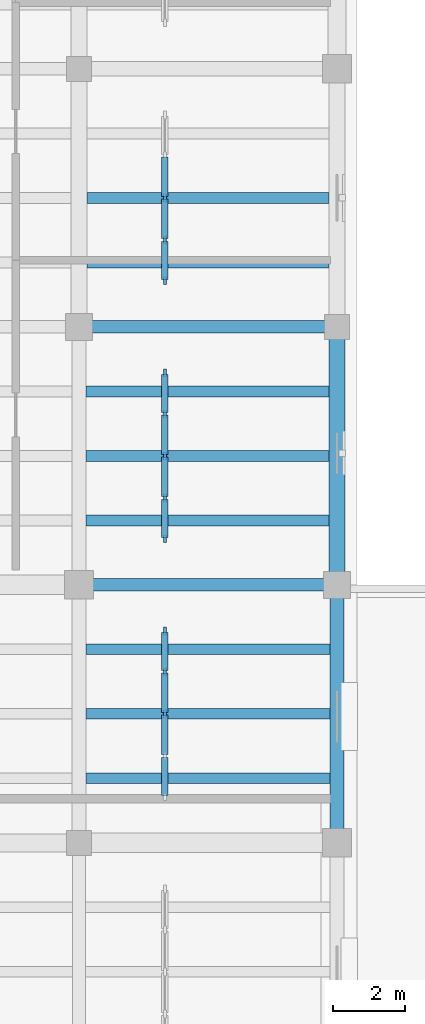
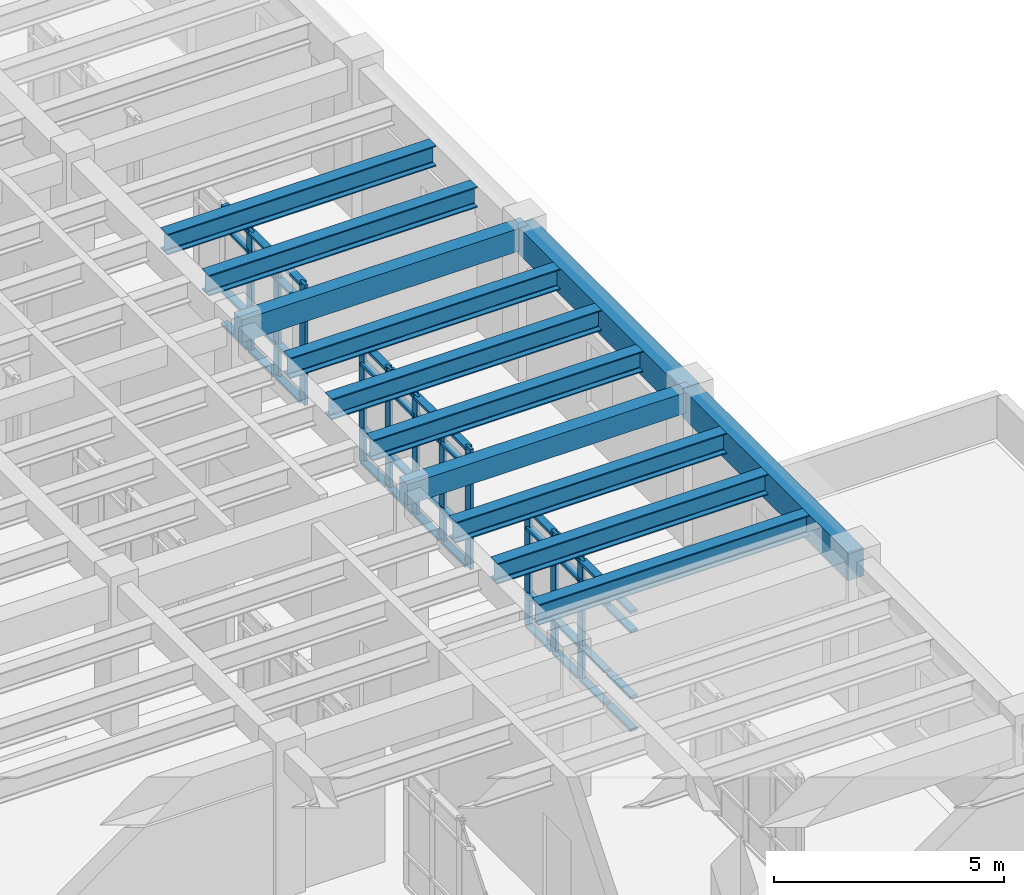
# One storey, part 31 of 76: 55 members, 12 beams, 3 elements without a shape of their own.
"""IFC4 building model written with IfcOpenShell, lengths in metres."""

import ifcopenshell
import ifcopenshell.guid

model = None  # the IFC model being written
_history = None  # IfcOwnerHistory: only IFC2X3 demands one
_inside = {}  # id of a spatial element -> (the spatial element, [elements in it])
_under = {}  # id of a project, library or spatial element -> (it, [spatial elements below it])
_declared = {}  # id of a project -> (the project, [libraries it declares])
_typed = {}  # id of a type object -> (the type object, [elements of that type])
_made_of = {}  # id of a material, layer set ... -> (it, [elements and type objects made of it])


def new_model(schema):
    """Start an empty IFC model of exactly this schema.

    Asked for "IFC4X3", IfcOpenShell would pick the latest addendum, in which some entities
    have other attributes; the version numbers below select the first issue.
    IFC2X3 requires an IfcOwnerHistory on every rooted entity: one is made here for all.
    """
    global model, _history
    if schema == "IFC4X3":
        model = ifcopenshell.file(schema_version=(4, 3, 0, 0))
    else:
        model = ifcopenshell.file(schema=schema)
    _inside.clear()
    _under.clear()
    _declared.clear()
    _typed.clear()
    _made_of.clear()
    _history = None
    if model.schema == "IFC2X3":
        org = make("IfcOrganization", Name="unknown")
        user = make(
            "IfcPersonAndOrganization",
            ThePerson=make("IfcPerson", FamilyName="unknown"),
            TheOrganization=org,
        )
        app = make(
            "IfcApplication",
            ApplicationDeveloper=org,
            Version="unknown",
            ApplicationFullName="unknown",
            ApplicationIdentifier="unknown",
        )
        _history = make(
            "IfcOwnerHistory",
            OwningUser=user,
            OwningApplication=app,
            ChangeAction="ADDED",
            CreationDate=0,
        )
    return model


def make(cls, **values):
    """One entity of the class cls with the attributes given. An attribute that is None is left unset."""
    return model.create_entity(
        cls, **{name: value for name, value in values.items() if value is not None}
    )


def rooted(cls, **values):
    """An entity with a GlobalId (a new one), such as an element, a storey or a relation."""
    return make(cls, GlobalId=ifcopenshell.guid.new(), OwnerHistory=_history, **values)


def si_unit(unit_type, name, prefix=None):
    """IfcSIUnit, for example si_unit("LENGTHUNIT", "METRE", prefix="MILLI")."""
    return make("IfcSIUnit", UnitType=unit_type, Prefix=prefix, Name=name)


def assignment(units):
    """IfcUnitAssignment: the units of a project."""
    return None if units is None else make("IfcUnitAssignment", Units=units)


def point(xyz):
    """IfcCartesianPoint."""
    return None if xyz is None else make("IfcCartesianPoint", Coordinates=xyz)


def direction(xyz):
    """IfcDirection."""
    return None if xyz is None else make("IfcDirection", DirectionRatios=xyz)


def frame(location, z_axis=None, x_axis=None):
    """IfcAxis2Placement3D, a coordinate frame: its origin and axes. An axis left out is left unset."""
    return make(
        "IfcAxis2Placement3D",
        Location=point(location),
        Axis=direction(z_axis),
        RefDirection=direction(x_axis),
    )


def frame_2d(location, x_axis=None):
    """IfcAxis2Placement2D, a coordinate frame in the plane: its origin and x axis."""
    return make(
        "IfcAxis2Placement2D", Location=point(location), RefDirection=direction(x_axis)
    )


def origin():
    """The frame at (0, 0, 0) with its axes left unset."""
    return frame((0.0, 0.0, 0.0))


def origin_2d():
    """The frame at (0, 0) in the plane with its x axis left unset."""
    return frame_2d((0.0, 0.0))


def place(relative_to, where):
    """IfcLocalPlacement: puts the frame where relative to a parent placement (None: the world)."""
    return make(
        "IfcLocalPlacement", PlacementRelTo=relative_to, RelativePlacement=where
    )


def context(
    kind, dimensions, precision=None, world=None, true_north=None, identifier=None
):
    """IfcGeometricRepresentationContext, for example the 3D "Model" context."""
    return make(
        "IfcGeometricRepresentationContext",
        ContextIdentifier=identifier,
        ContextType=kind,
        CoordinateSpaceDimension=dimensions,
        Precision=precision,
        WorldCoordinateSystem=world,
        TrueNorth=true_north,
    )


def subcontext(parent, identifier, kind, view, scale=None):
    """IfcGeometricRepresentationSubContext, for example "Body" below "Model"."""
    return make(
        "IfcGeometricRepresentationSubContext",
        ContextIdentifier=identifier,
        ContextType=kind,
        ParentContext=parent,
        TargetScale=scale,
        TargetView=view,
    )


def project(units=None, contexts=None):
    """IfcProject with its units and contexts."""
    return rooted(
        "IfcProject",
        Name="project",
        RepresentationContexts=contexts,
        UnitsInContext=assignment(units),
    )


def spatial(cls, under=None, at=None, **own):
    """A site, building, storey or space (cls), placed at a placement, below another one or the project."""
    s = rooted(cls, ObjectPlacement=at, **own)
    if under is not None:
        _under.setdefault(under.id(), (under, []))[1].append(s)
    return s


def profile(cls, at=None, kind="AREA", **sizes):
    """A parametric profile (cls). Its sizes go by their IFC names, for example OverallWidth=200.0."""
    return make(cls, ProfileType=kind, Position=at, **sizes)


def rectangle(**sizes):
    """IfcRectangleProfileDef."""
    return profile("IfcRectangleProfileDef", **sizes)


def i_section(**sizes):
    """IfcIShapeProfileDef."""
    return profile("IfcIShapeProfileDef", **sizes)


def extrude(swept, where, along, depth):
    """IfcExtrudedAreaSolid: the profile swept, set in the frame where, extruded along a direction by depth."""
    return make(
        "IfcExtrudedAreaSolid",
        SweptArea=swept,
        Position=where,
        ExtrudedDirection=direction(along),
        Depth=depth,
    )


def shape(context_of_items, identifier, shape_type, items):
    """IfcShapeRepresentation: the items that make up one representation, for example the "Body"."""
    return make(
        "IfcShapeRepresentation",
        ContextOfItems=context_of_items,
        RepresentationIdentifier=identifier,
        RepresentationType=shape_type,
        Items=items,
    )


def material(Name=None, Category=None):
    """IfcMaterial."""
    return make("IfcMaterial", Name=Name, Category=Category)


def material_profile(
    of_material, cross_section, Name=None, Category=None, Priority=None
):
    """IfcMaterialProfile: a cross section and its material."""
    return make(
        "IfcMaterialProfile",
        Name=Name,
        Material=of_material,
        Profile=cross_section,
        Priority=Priority,
        Category=Category,
    )


def profile_set(profiles, Name=None, composite=None):
    """IfcMaterialProfileSet."""
    return make(
        "IfcMaterialProfileSet",
        Name=Name,
        MaterialProfiles=profiles,
        CompositeProfile=composite,
    )


def made_of(thing, what):
    """Note that an element or type object is made of a material, layer set ...; save() writes the relation."""
    if what is not None:
        _made_of.setdefault(what.id(), (what, []))[1].append(thing)
    return thing


def type_object(cls, material=None, **own):
    """A type object (cls), such as IfcWallType, which elements share."""
    return made_of(rooted(cls, **own), material)


def element(
    cls,
    number,
    at=None,
    inside=None,
    cuts=None,
    type_object=None,
    material=None,
    context=None,
    identifier="Body",
    shape_type=None,
    held_by="IfcProductDefinitionShape",
    body=None,
    shapes=None,
    **own,
):
    """One element of the class cls, such as IfcWall. Its Tag is "e" and its number.

    at: its placement. inside: the storey or other place that contains it. cuts: it is an
    opening in that element (IfcRelVoidsElement). A single representation is given by context,
    identifier, shape_type and body (its items); several are given by shapes. held_by: the class
    of the entity that holds the representations. save() writes the other relations.
    """
    e = rooted(cls, Tag="e%d" % number, ObjectPlacement=at, **own)
    if body is not None:
        shapes = [shape(context, identifier, shape_type, body)]
    if shapes is not None:
        e.Representation = make(held_by, Representations=shapes)
    if inside is not None:
        _inside.setdefault(inside.id(), (inside, []))[1].append(e)
    if cuts is not None:
        rooted(
            "IfcRelVoidsElement", RelatingBuildingElement=cuts, RelatedOpeningElement=e
        )
    if type_object is not None:
        _typed.setdefault(type_object.id(), (type_object, []))[1].append(e)
    return made_of(e, material)


def aggregate(whole, parts):
    """IfcRelAggregates: a whole, such as a stair, and the parts it consists of."""
    return rooted("IfcRelAggregates", RelatingObject=whole, RelatedObjects=parts)


def save(model, path):
    """Write the relations noted so far, then the file.

    IfcRelAggregates (storeys below a building ...), IfcRelContainedInSpatialStructure (elements
    in a storey), IfcRelDefinesByType, IfcRelAssociatesMaterial and IfcRelDeclares: one each for
    every whole, place, type object, material and project.
    """
    for whole, parts in _under.values():
        aggregate(whole, parts)
    for where, things in _inside.values():
        rooted(
            "IfcRelContainedInSpatialStructure",
            RelatedElements=things,
            RelatingStructure=where,
        )
    for kind, things in _typed.values():
        rooted("IfcRelDefinesByType", RelatedObjects=things, RelatingType=kind)
    for what, things in _made_of.values():
        rooted("IfcRelAssociatesMaterial", RelatedObjects=things, RelatingMaterial=what)
    for by, libraries in _declared.values():
        rooted("IfcRelDeclares", RelatingContext=by, RelatedDefinitions=libraries)
    model.write(path)


model = new_model("IFC4")

# Units and contexts
model_context = context("Model", 3, precision=1e-05, world=origin(), true_north=direction((0.0, 1.0)))
body_context = subcontext(model_context, "Body", "Model", "MODEL_VIEW")
ifc_project = project(units=[si_unit("LENGTHUNIT", "METRE"), si_unit("AREAUNIT", "SQUARE_METRE"), si_unit("VOLUMEUNIT", "CUBIC_METRE"), si_unit("PLANEANGLEUNIT", "RADIAN"), si_unit("MASSUNIT", "GRAM", prefix="KILO")], contexts=[model_context])

# Site, building, storey
site_placement = place(None, origin())
site = spatial("IfcSite", under=ifc_project, at=site_placement, CompositionType="ELEMENT")
building_placement = place(site_placement, origin())
building = spatial("IfcBuilding", under=site, at=building_placement, Name="Mithqara Police Headquarters", CompositionType="ELEMENT")
storey_placement = place(building_placement, frame((0.0, 0.0, 5.39990234375)))
storey = spatial("IfcBuildingStorey", under=building, at=storey_placement, Name="L01", CompositionType="ELEMENT", Elevation=5.39990234375)

# Beams
ifc_material_1 = material(Name="Steel S355JR", Category="steel")
ifc_material_profile_1 = material_profile(ifc_material_1, i_section(OverallWidth=0.300048828125, OverallDepth=0.550048828125, WebThickness=0.014892578125, FlangeThickness=0.029052734375, FilletRadius=0.027099609375, at=origin_2d()), Name="HEB 550")
ifc_profile_set_1 = profile_set([ifc_material_profile_1], Name="Steel S355JR")
beam_type_1 = type_object("IfcBeamType", Name="BEAM HEB550", PredefinedType="BEAM", material=ifc_profile_set_1)
for number, where, z_axis, x_axis, name in (
    (1, (159.199951171875, 73.199951171875, 3.64501953125), (1.0, 0.0, 0.0), (0.0, 1.0, 0.0), "L01 Composite Steel Joist 23-24/L.1"),
    (2, (159.199951171875, 75.0, 3.64501953125), (1.0, 0.0, 0.0), (0.0, 1.0, 0.0), "L01 Composite Steel Joist 23-24/L.2"),
    (3, (159.199951171875, 76.800048828125, 3.64501953125), (1.0, 0.0, 0.0), (0.0, 1.0, 0.0), "L01 Composite Steel Joist 23-24/L.3"),
):
    element("IfcBeam", number, at=place(storey_placement, frame(where, z_axis=z_axis, x_axis=x_axis)), inside=storey, type_object=beam_type_1, Name=name, PredefinedType="BEAM", context=body_context, shape_type="SweptSolid", body=[
        extrude(i_section(OverallWidth=0.300048828125, OverallDepth=0.550048828125, WebThickness=0.014892578125, FlangeThickness=0.029052734375, FilletRadius=0.027099609375, at=origin_2d()), origin(), (0.0, 0.0, 1.0), 6.800048828125),
    ])
for number, where, z_axis, x_axis, name in (
    (4, (159.199951171875, 80.39990234375, 3.64501953125), (1.0, 0.0, 0.0), (0.0, 1.0, 0.0), "L01 Composite Steel Joist 23-24/M.1"),
    (5, (159.199951171875, 82.199951171875, 3.64501953125), (1.0, 0.0, 0.0), (0.0, 1.0, 0.0), "L01 Composite Steel Joist 23-24/M.2"),
    (6, (159.199951171875, 84.0, 3.64501953125), (1.0, 0.0, 0.0), (0.0, 1.0, 0.0), "L01 Composite Steel Joist 23-24/M.3"),
):
    element("IfcBeam", number, at=place(storey_placement, frame(where, z_axis=z_axis, x_axis=x_axis)), inside=storey, type_object=beam_type_1, Name=name, PredefinedType="BEAM", context=body_context, shape_type="SweptSolid", body=[
        extrude(i_section(OverallWidth=0.300048828125, OverallDepth=0.550048828125, WebThickness=0.014892578125, FlangeThickness=0.029052734375, FilletRadius=0.027099609375, at=origin_2d()), origin(), (0.0, 0.0, 1.0), 6.775146484375),
    ])
for number, where, z_axis, x_axis, name in (
    (7, (159.22509765625, 87.60009765625, 3.64501953125), (1.0, 0.0, 0.0), (0.0, 1.0, 0.0), "L01 Composite Steel Joist 23-24/N.1"),
    (8, (159.22509765625, 89.39990234375, 3.64501953125), (1.0, 0.0, 0.0), (0.0, 1.0, 0.0), "L01 Composite Steel Joist 23-24/N.2"),
):
    element("IfcBeam", number, at=place(storey_placement, frame(where, z_axis=z_axis, x_axis=x_axis)), inside=storey, type_object=beam_type_1, Name=name, PredefinedType="BEAM", context=body_context, shape_type="SweptSolid", body=[
        extrude(i_section(OverallWidth=0.300048828125, OverallDepth=0.550048828125, WebThickness=0.014892578125, FlangeThickness=0.029052734375, FilletRadius=0.027099609375, at=origin_2d()), origin(), (0.0, 0.0, 1.0), 6.75),
    ])
ifc_material_2 = material(Name="Concrete C40/50", Category="concrete")
ifc_material_profile_2 = material_profile(ifc_material_2, rectangle(XDim=0.35009765625, YDim=0.550048828125, at=origin_2d()), Name="RC 350x550")
ifc_profile_set_2 = profile_set([ifc_material_profile_2], Name="Concrete C40/50")
beam_type_2 = type_object("IfcBeamType", Name="BEAM RC350X550", PredefinedType="BEAM", material=ifc_profile_set_2)
beam_1_placement = place(storey_placement, frame((159.0, 78.60009765625, 3.64501953125), z_axis=(1.0, 0.0, 0.0), x_axis=(0.0, 1.0, 0.0)))
element("IfcBeam", 9, at=beam_1_placement, inside=storey, type_object=beam_type_2, Name="L01 Girder 23-24/M", PredefinedType="BEAM", context=body_context, shape_type="SweptSolid", body=[
    extrude(rectangle(XDim=0.35009765625, YDim=0.550048828125, at=origin_2d()), origin(), (0.0, 0.0, 1.0), 7.199951171875),
])
ifc_material_profile_3 = material_profile(ifc_material_2, rectangle(XDim=0.35009765625, YDim=0.60009765625, at=origin_2d()), Name="RC 350x600")
ifc_profile_set_3 = profile_set([ifc_material_profile_3], Name="Concrete C40/50")
beam_type_3 = type_object("IfcBeamType", Name="BEAM RC350X600", PredefinedType="BEAM", material=ifc_profile_set_3)
beam_2_placement = place(storey_placement, frame((159.0, 85.800048828125, 3.6201171875), z_axis=(1.0, 0.0, 0.0), x_axis=(0.0, 1.0, 0.0)))
element("IfcBeam", 10, at=beam_2_placement, inside=storey, type_object=beam_type_3, Name="L01 Girder 23-24/N", PredefinedType="BEAM", context=body_context, shape_type="SweptSolid", body=[
    extrude(rectangle(XDim=0.35009765625, YDim=0.60009765625, at=origin_2d()), origin(), (0.0, 0.0, 1.0), 7.199951171875),
])
ifc_material_profile_4 = material_profile(ifc_material_2, rectangle(XDim=0.39990234375, YDim=0.75, at=origin_2d()), Name="RC 400x750")
ifc_profile_set_4 = profile_set([ifc_material_profile_4], Name="Concrete C40/50")
beam_type_4 = type_object("IfcBeamType", Name="BEAM RC400X750", PredefinedType="BEAM", material=ifc_profile_set_4)
beam_3_placement = place(storey_placement, frame((166.199951171875, 71.39990234375, 3.545166015625), z_axis=(0.0, 1.0, 0.0), x_axis=(-1.0, 0.0, 0.0)))
element("IfcBeam", 11, at=beam_3_placement, inside=storey, type_object=beam_type_4, Name="L01 Girder 24/L-M", PredefinedType="BEAM", context=body_context, shape_type="SweptSolid", body=[
    extrude(rectangle(XDim=0.39990234375, YDim=0.75, at=origin_2d()), origin(), (0.0, 0.0, 1.0), 7.2001953125),
])
ifc_material_profile_5 = material_profile(ifc_material_2, rectangle(XDim=0.449951171875, YDim=0.699951171875, at=origin_2d()), Name="RC 450x700")
ifc_profile_set_5 = profile_set([ifc_material_profile_5], Name="Concrete C40/50")
beam_type_5 = type_object("IfcBeamType", Name="BEAM RC450X700", PredefinedType="BEAM", material=ifc_profile_set_5)
beam_4_placement = place(storey_placement, frame((166.199951171875, 78.60009765625, 3.570068359375), z_axis=(0.0, 1.0, 0.0), x_axis=(-1.0, 0.0, 0.0)))
element("IfcBeam", 12, at=beam_4_placement, inside=storey, type_object=beam_type_5, Name="L01 Girder 24/M-N", PredefinedType="BEAM", context=body_context, shape_type="SweptSolid", body=[
    extrude(rectangle(XDim=0.449951171875, YDim=0.699951171875, at=origin_2d()), origin(), (0.0, 0.0, 1.0), 7.199951171875),
])

# Curtain wall, members
ifc_material_3 = material(Name="Bronze anodised aluminium 6063-T6", Category="aluminium")
curtain_wall_type = type_object("IfcCurtainWallType", Name="CURTAIN WALL 4700X3200", PredefinedType="USERDEFINED", material=ifc_material_3)
curtain_wall_1_placement = place(storey_placement, origin())
curtain_wall_1 = element("IfcCurtainWall", 13, at=curtain_wall_1_placement, inside=storey, type_object=curtain_wall_type, Name="L01 Unitised Glazing CW-15 (CW-INT-L01-X22-Y10-0)", ObjectType="UNITISED GLAZING", PredefinedType="USERDEFINED")
ifc_material_profile_6 = material_profile(ifc_material_3, rectangle(XDim=0.074951171875, YDim=0.219970703125, at=origin_2d()), Name="CWM 75x220")
ifc_profile_set_6 = profile_set([ifc_material_profile_6], Name="Bronze anodised aluminium 6063-T6")
member_type_1 = type_object("IfcMemberType", Name="CWMULLION 75X220", PredefinedType="MULLION", material=ifc_profile_set_6)
member_1_placement = place(storey_placement, frame((161.39990234375, 75.0, 0.0), z_axis=(0.0, 0.0, 1.0), x_axis=(-1.0, 0.0, 0.0)))
member_1 = element("IfcMember", 14, at=member_1_placement, type_object=member_type_1, Name="CW-15 mullion 3", PredefinedType="MULLION", context=body_context, shape_type="SweptSolid", body=[
    extrude(rectangle(XDim=0.074951171875, YDim=0.219970703125, at=origin_2d()), origin(), (0.0, 0.0, 1.0), 3.2001953125),
])
member_2_placement = place(storey_placement, frame((161.39990234375, 76.175048828125, 0.0), z_axis=(0.0, 0.0, 1.0), x_axis=(-1.0, 0.0, 0.0)))
member_2 = element("IfcMember", 15, at=member_2_placement, type_object=member_type_1, Name="CW-15 mullion 4", PredefinedType="MULLION", context=body_context, shape_type="SweptSolid", body=[
    extrude(rectangle(XDim=0.074951171875, YDim=0.219970703125, at=origin_2d()), origin(), (0.0, 0.0, 1.0), 3.2001953125),
])
member_3_placement = place(storey_placement, frame((161.39990234375, 77.3125, 0.0), z_axis=(0.0, 0.0, 1.0), x_axis=(-1.0, 0.0, 0.0)))
member_3 = element("IfcMember", 16, at=member_3_placement, type_object=member_type_1, Name="CW-15 mullion 5", PredefinedType="MULLION", context=body_context, shape_type="SweptSolid", body=[
    extrude(rectangle(XDim=0.074951171875, YDim=0.219970703125, at=origin_2d()), origin(), (0.0, 0.0, 1.0), 3.2001953125),
])

curtain_wall_2_placement = place(storey_placement, origin())
curtain_wall_2 = element("IfcCurtainWall", 17, at=curtain_wall_2_placement, inside=storey, type_object=curtain_wall_type, Name="L01 Unitised Glazing CW-15 (CW-INT-L01-X22-Y11-0)", ObjectType="UNITISED GLAZING", PredefinedType="USERDEFINED")
member_4_placement = place(storey_placement, frame((161.39990234375, 79.887451171875, 0.0), z_axis=(0.0, 0.0, 1.0), x_axis=(-1.0, 0.0, 0.0)))
member_4 = element("IfcMember", 18, at=member_4_placement, type_object=member_type_1, Name="CW-15 mullion 1", PredefinedType="MULLION", context=body_context, shape_type="SweptSolid", body=[
    extrude(rectangle(XDim=0.074951171875, YDim=0.219970703125, at=origin_2d()), origin(), (0.0, 0.0, 1.0), 3.2001953125),
])
member_5_placement = place(storey_placement, frame((161.39990234375, 81.02490234375, 0.0), z_axis=(0.0, 0.0, 1.0), x_axis=(-1.0, 0.0, 0.0)))
member_5 = element("IfcMember", 19, at=member_5_placement, type_object=member_type_1, Name="CW-15 mullion 2", PredefinedType="MULLION", context=body_context, shape_type="SweptSolid", body=[
    extrude(rectangle(XDim=0.074951171875, YDim=0.219970703125, at=origin_2d()), origin(), (0.0, 0.0, 1.0), 3.2001953125),
])
member_6_placement = place(storey_placement, frame((161.39990234375, 82.199951171875, 0.0), z_axis=(0.0, 0.0, 1.0), x_axis=(-1.0, 0.0, 0.0)))
member_6 = element("IfcMember", 20, at=member_6_placement, type_object=member_type_1, Name="CW-15 mullion 3", PredefinedType="MULLION", context=body_context, shape_type="SweptSolid", body=[
    extrude(rectangle(XDim=0.074951171875, YDim=0.219970703125, at=origin_2d()), origin(), (0.0, 0.0, 1.0), 3.2001953125),
])
member_7_placement = place(storey_placement, frame((161.39990234375, 83.375, 0.0), z_axis=(0.0, 0.0, 1.0), x_axis=(-1.0, 0.0, 0.0)))
member_7 = element("IfcMember", 21, at=member_7_placement, type_object=member_type_1, Name="CW-15 mullion 4", PredefinedType="MULLION", context=body_context, shape_type="SweptSolid", body=[
    extrude(rectangle(XDim=0.074951171875, YDim=0.219970703125, at=origin_2d()), origin(), (0.0, 0.0, 1.0), 3.2001953125),
])
member_8_placement = place(storey_placement, frame((161.39990234375, 84.512451171875, 0.0), z_axis=(0.0, 0.0, 1.0), x_axis=(-1.0, 0.0, 0.0)))
member_8 = element("IfcMember", 22, at=member_8_placement, type_object=member_type_1, Name="CW-15 mullion 5", PredefinedType="MULLION", context=body_context, shape_type="SweptSolid", body=[
    extrude(rectangle(XDim=0.074951171875, YDim=0.219970703125, at=origin_2d()), origin(), (0.0, 0.0, 1.0), 3.2001953125),
])

curtain_wall_3_placement = place(storey_placement, origin())
curtain_wall_3 = element("IfcCurtainWall", 23, at=curtain_wall_3_placement, inside=storey, type_object=curtain_wall_type, Name="L01 Unitised Glazing CW-15 (CW-INT-L01-X22-Y12-0)", ObjectType="UNITISED GLAZING", PredefinedType="USERDEFINED")
member_9_placement = place(storey_placement, frame((161.39990234375, 87.08740234375, 0.0), z_axis=(0.0, 0.0, 1.0), x_axis=(-1.0, 0.0, 0.0)))
member_9 = element("IfcMember", 24, at=member_9_placement, type_object=member_type_1, Name="CW-15 mullion 1", PredefinedType="MULLION", context=body_context, shape_type="SweptSolid", body=[
    extrude(rectangle(XDim=0.074951171875, YDim=0.219970703125, at=origin_2d()), origin(), (0.0, 0.0, 1.0), 3.2001953125),
])
member_10_placement = place(storey_placement, frame((161.39990234375, 88.22509765625, 0.0), z_axis=(0.0, 0.0, 1.0), x_axis=(-1.0, 0.0, 0.0)))
member_10 = element("IfcMember", 25, at=member_10_placement, type_object=member_type_1, Name="CW-15 mullion 2", PredefinedType="MULLION", context=body_context, shape_type="SweptSolid", body=[
    extrude(rectangle(XDim=0.074951171875, YDim=0.219970703125, at=origin_2d()), origin(), (0.0, 0.0, 1.0), 3.2001953125),
])
member_11_placement = place(storey_placement, frame((161.39990234375, 89.39990234375, 0.0), z_axis=(0.0, 0.0, 1.0), x_axis=(-1.0, 0.0, 0.0)))
member_11 = element("IfcMember", 26, at=member_11_placement, type_object=member_type_1, Name="CW-15 mullion 3", PredefinedType="MULLION", context=body_context, shape_type="SweptSolid", body=[
    extrude(rectangle(XDim=0.074951171875, YDim=0.219970703125, at=origin_2d()), origin(), (0.0, 0.0, 1.0), 3.2001953125),
])

# Member
ifc_material_profile_7 = material_profile(ifc_material_3, rectangle(XDim=0.179931640625, YDim=0.074951171875, at=origin_2d()), Name="CWT 180x75")
ifc_profile_set_7 = profile_set([ifc_material_profile_7], Name="Bronze anodised aluminium 6063-T6")
member_type_2 = type_object("IfcMemberType", Name="CWTRANSOM 180X75", PredefinedType="USERDEFINED", material=ifc_profile_set_7)
member_12_placement = place(storey_placement, frame((161.39990234375, 72.72509765625, 0.03759765625), z_axis=(0.0, 1.0, 0.0), x_axis=(-1.0, 0.0, 0.0)))
member_12 = element("IfcMember", 27, at=member_12_placement, type_object=member_type_2, Name="CW-15 transom 1.1", ObjectType="TRANSOM", PredefinedType="USERDEFINED", context=body_context, shape_type="SweptSolid", body=[
    extrude(rectangle(XDim=0.179931640625, YDim=0.074951171875, at=origin_2d()), origin(), (0.0, 0.0, 1.0), 1.0625),
])

member_13_placement = place(storey_placement, frame((161.39990234375, 72.72509765625, 0.900146484375), z_axis=(0.0, 1.0, 0.0), x_axis=(-1.0, 0.0, 0.0)))
member_13 = element("IfcMember", 28, at=member_13_placement, type_object=member_type_2, Name="CW-15 transom 1.2", ObjectType="TRANSOM", PredefinedType="USERDEFINED", context=body_context, shape_type="SweptSolid", body=[
    extrude(rectangle(XDim=0.179931640625, YDim=0.074951171875, at=origin_2d()), origin(), (0.0, 0.0, 1.0), 1.0625),
])

member_14_placement = place(storey_placement, frame((161.39990234375, 72.72509765625, 2.650146484375), z_axis=(0.0, 1.0, 0.0), x_axis=(-1.0, 0.0, 0.0)))
member_14 = element("IfcMember", 29, at=member_14_placement, type_object=member_type_2, Name="CW-15 transom 1.3", ObjectType="TRANSOM", PredefinedType="USERDEFINED", context=body_context, shape_type="SweptSolid", body=[
    extrude(rectangle(XDim=0.179931640625, YDim=0.074951171875, at=origin_2d()), origin(), (0.0, 0.0, 1.0), 1.0625),
])

member_15_placement = place(storey_placement, frame((161.39990234375, 72.72509765625, 3.16259765625), z_axis=(0.0, 1.0, 0.0), x_axis=(-1.0, 0.0, 0.0)))
member_15 = element("IfcMember", 30, at=member_15_placement, type_object=member_type_2, Name="CW-15 transom 1.4", ObjectType="TRANSOM", PredefinedType="USERDEFINED", context=body_context, shape_type="SweptSolid", body=[
    extrude(rectangle(XDim=0.179931640625, YDim=0.074951171875, at=origin_2d()), origin(), (0.0, 0.0, 1.0), 1.0625),
])

member_16_placement = place(storey_placement, frame((161.39990234375, 73.862548828125, 0.03759765625), z_axis=(0.0, 1.0, 0.0), x_axis=(-1.0, 0.0, 0.0)))
member_16 = element("IfcMember", 31, at=member_16_placement, type_object=member_type_2, Name="CW-15 transom 2.1", ObjectType="TRANSOM", PredefinedType="USERDEFINED", context=body_context, shape_type="SweptSolid", body=[
    extrude(rectangle(XDim=0.179931640625, YDim=0.074951171875, at=origin_2d()), origin(), (0.0, 0.0, 1.0), 1.099853515625),
])

member_17_placement = place(storey_placement, frame((161.39990234375, 73.862548828125, 0.900146484375), z_axis=(0.0, 1.0, 0.0), x_axis=(-1.0, 0.0, 0.0)))
member_17 = element("IfcMember", 32, at=member_17_placement, type_object=member_type_2, Name="CW-15 transom 2.2", ObjectType="TRANSOM", PredefinedType="USERDEFINED", context=body_context, shape_type="SweptSolid", body=[
    extrude(rectangle(XDim=0.179931640625, YDim=0.074951171875, at=origin_2d()), origin(), (0.0, 0.0, 1.0), 1.099853515625),
])

member_18_placement = place(storey_placement, frame((161.39990234375, 73.862548828125, 2.650146484375), z_axis=(0.0, 1.0, 0.0), x_axis=(-1.0, 0.0, 0.0)))
member_18 = element("IfcMember", 33, at=member_18_placement, type_object=member_type_2, Name="CW-15 transom 2.3", ObjectType="TRANSOM", PredefinedType="USERDEFINED", context=body_context, shape_type="SweptSolid", body=[
    extrude(rectangle(XDim=0.179931640625, YDim=0.074951171875, at=origin_2d()), origin(), (0.0, 0.0, 1.0), 1.099853515625),
])

member_19_placement = place(storey_placement, frame((161.39990234375, 73.862548828125, 3.16259765625), z_axis=(0.0, 1.0, 0.0), x_axis=(-1.0, 0.0, 0.0)))
member_19 = element("IfcMember", 34, at=member_19_placement, type_object=member_type_2, Name="CW-15 transom 2.4", ObjectType="TRANSOM", PredefinedType="USERDEFINED", context=body_context, shape_type="SweptSolid", body=[
    extrude(rectangle(XDim=0.179931640625, YDim=0.074951171875, at=origin_2d()), origin(), (0.0, 0.0, 1.0), 1.099853515625),
])

member_20_placement = place(storey_placement, frame((161.39990234375, 75.03759765625, 0.03759765625), z_axis=(0.0, 1.0, 0.0), x_axis=(-1.0, 0.0, 0.0)))
member_20 = element("IfcMember", 35, at=member_20_placement, type_object=member_type_2, Name="CW-15 transom 3.1", ObjectType="TRANSOM", PredefinedType="USERDEFINED", context=body_context, shape_type="SweptSolid", body=[
    extrude(rectangle(XDim=0.179931640625, YDim=0.074951171875, at=origin_2d()), origin(), (0.0, 0.0, 1.0), 1.099853515625),
])

member_21_placement = place(storey_placement, frame((161.39990234375, 75.03759765625, 0.900146484375), z_axis=(0.0, 1.0, 0.0), x_axis=(-1.0, 0.0, 0.0)))
member_21 = element("IfcMember", 36, at=member_21_placement, type_object=member_type_2, Name="CW-15 transom 3.2", ObjectType="TRANSOM", PredefinedType="USERDEFINED", context=body_context, shape_type="SweptSolid", body=[
    extrude(rectangle(XDim=0.179931640625, YDim=0.074951171875, at=origin_2d()), origin(), (0.0, 0.0, 1.0), 1.099853515625),
])

member_22_placement = place(storey_placement, frame((161.39990234375, 75.03759765625, 2.650146484375), z_axis=(0.0, 1.0, 0.0), x_axis=(-1.0, 0.0, 0.0)))
member_22 = element("IfcMember", 37, at=member_22_placement, type_object=member_type_2, Name="CW-15 transom 3.3", ObjectType="TRANSOM", PredefinedType="USERDEFINED", context=body_context, shape_type="SweptSolid", body=[
    extrude(rectangle(XDim=0.179931640625, YDim=0.074951171875, at=origin_2d()), origin(), (0.0, 0.0, 1.0), 1.099853515625),
])

member_23_placement = place(storey_placement, frame((161.39990234375, 75.03759765625, 3.16259765625), z_axis=(0.0, 1.0, 0.0), x_axis=(-1.0, 0.0, 0.0)))
member_23 = element("IfcMember", 38, at=member_23_placement, type_object=member_type_2, Name="CW-15 transom 3.4", ObjectType="TRANSOM", PredefinedType="USERDEFINED", context=body_context, shape_type="SweptSolid", body=[
    extrude(rectangle(XDim=0.179931640625, YDim=0.074951171875, at=origin_2d()), origin(), (0.0, 0.0, 1.0), 1.099853515625),
])

member_24_placement = place(storey_placement, frame((161.39990234375, 76.21240234375, 0.03759765625), z_axis=(0.0, 1.0, 0.0), x_axis=(-1.0, 0.0, 0.0)))
member_24 = element("IfcMember", 39, at=member_24_placement, type_object=member_type_2, Name="CW-15 transom 4.1", ObjectType="TRANSOM", PredefinedType="USERDEFINED", context=body_context, shape_type="SweptSolid", body=[
    extrude(rectangle(XDim=0.179931640625, YDim=0.074951171875, at=origin_2d()), origin(), (0.0, 0.0, 1.0), 1.0625),
])

member_25_placement = place(storey_placement, frame((161.39990234375, 76.21240234375, 0.900146484375), z_axis=(0.0, 1.0, 0.0), x_axis=(-1.0, 0.0, 0.0)))
member_25 = element("IfcMember", 40, at=member_25_placement, type_object=member_type_2, Name="CW-15 transom 4.2", ObjectType="TRANSOM", PredefinedType="USERDEFINED", context=body_context, shape_type="SweptSolid", body=[
    extrude(rectangle(XDim=0.179931640625, YDim=0.074951171875, at=origin_2d()), origin(), (0.0, 0.0, 1.0), 1.0625),
])

member_26_placement = place(storey_placement, frame((161.39990234375, 76.21240234375, 2.650146484375), z_axis=(0.0, 1.0, 0.0), x_axis=(-1.0, 0.0, 0.0)))
member_26 = element("IfcMember", 41, at=member_26_placement, type_object=member_type_2, Name="CW-15 transom 4.3", ObjectType="TRANSOM", PredefinedType="USERDEFINED", context=body_context, shape_type="SweptSolid", body=[
    extrude(rectangle(XDim=0.179931640625, YDim=0.074951171875, at=origin_2d()), origin(), (0.0, 0.0, 1.0), 1.0625),
])

member_27_placement = place(storey_placement, frame((161.39990234375, 76.21240234375, 3.16259765625), z_axis=(0.0, 1.0, 0.0), x_axis=(-1.0, 0.0, 0.0)))
member_27 = element("IfcMember", 42, at=member_27_placement, type_object=member_type_2, Name="CW-15 transom 4.4", ObjectType="TRANSOM", PredefinedType="USERDEFINED", context=body_context, shape_type="SweptSolid", body=[
    extrude(rectangle(XDim=0.179931640625, YDim=0.074951171875, at=origin_2d()), origin(), (0.0, 0.0, 1.0), 1.0625),
])

aggregate(curtain_wall_1, [member_1, member_2, member_3, member_12, member_13, member_14, member_15, member_16, member_17, member_18, member_19, member_20, member_21, member_22, member_23, member_24, member_25, member_26, member_27])

member_28_placement = place(storey_placement, frame((161.39990234375, 79.925048828125, 0.03759765625), z_axis=(0.0, 1.0, 0.0), x_axis=(-1.0, 0.0, 0.0)))
member_28 = element("IfcMember", 43, at=member_28_placement, type_object=member_type_2, Name="CW-15 transom 1.1", ObjectType="TRANSOM", PredefinedType="USERDEFINED", context=body_context, shape_type="SweptSolid", body=[
    extrude(rectangle(XDim=0.179931640625, YDim=0.074951171875, at=origin_2d()), origin(), (0.0, 0.0, 1.0), 1.0625),
])

member_29_placement = place(storey_placement, frame((161.39990234375, 79.925048828125, 0.900146484375), z_axis=(0.0, 1.0, 0.0), x_axis=(-1.0, 0.0, 0.0)))
member_29 = element("IfcMember", 44, at=member_29_placement, type_object=member_type_2, Name="CW-15 transom 1.2", ObjectType="TRANSOM", PredefinedType="USERDEFINED", context=body_context, shape_type="SweptSolid", body=[
    extrude(rectangle(XDim=0.179931640625, YDim=0.074951171875, at=origin_2d()), origin(), (0.0, 0.0, 1.0), 1.0625),
])

member_30_placement = place(storey_placement, frame((161.39990234375, 79.925048828125, 2.650146484375), z_axis=(0.0, 1.0, 0.0), x_axis=(-1.0, 0.0, 0.0)))
member_30 = element("IfcMember", 45, at=member_30_placement, type_object=member_type_2, Name="CW-15 transom 1.3", ObjectType="TRANSOM", PredefinedType="USERDEFINED", context=body_context, shape_type="SweptSolid", body=[
    extrude(rectangle(XDim=0.179931640625, YDim=0.074951171875, at=origin_2d()), origin(), (0.0, 0.0, 1.0), 1.0625),
])

member_31_placement = place(storey_placement, frame((161.39990234375, 79.925048828125, 3.16259765625), z_axis=(0.0, 1.0, 0.0), x_axis=(-1.0, 0.0, 0.0)))
member_31 = element("IfcMember", 46, at=member_31_placement, type_object=member_type_2, Name="CW-15 transom 1.4", ObjectType="TRANSOM", PredefinedType="USERDEFINED", context=body_context, shape_type="SweptSolid", body=[
    extrude(rectangle(XDim=0.179931640625, YDim=0.074951171875, at=origin_2d()), origin(), (0.0, 0.0, 1.0), 1.0625),
])

member_32_placement = place(storey_placement, frame((161.39990234375, 81.0625, 0.03759765625), z_axis=(0.0, 1.0, 0.0), x_axis=(-1.0, 0.0, 0.0)))
member_32 = element("IfcMember", 47, at=member_32_placement, type_object=member_type_2, Name="CW-15 transom 2.1", ObjectType="TRANSOM", PredefinedType="USERDEFINED", context=body_context, shape_type="SweptSolid", body=[
    extrude(rectangle(XDim=0.179931640625, YDim=0.074951171875, at=origin_2d()), origin(), (0.0, 0.0, 1.0), 1.10009765625),
])

member_33_placement = place(storey_placement, frame((161.39990234375, 81.0625, 0.900146484375), z_axis=(0.0, 1.0, 0.0), x_axis=(-1.0, 0.0, 0.0)))
member_33 = element("IfcMember", 48, at=member_33_placement, type_object=member_type_2, Name="CW-15 transom 2.2", ObjectType="TRANSOM", PredefinedType="USERDEFINED", context=body_context, shape_type="SweptSolid", body=[
    extrude(rectangle(XDim=0.179931640625, YDim=0.074951171875, at=origin_2d()), origin(), (0.0, 0.0, 1.0), 1.10009765625),
])

member_34_placement = place(storey_placement, frame((161.39990234375, 81.0625, 2.650146484375), z_axis=(0.0, 1.0, 0.0), x_axis=(-1.0, 0.0, 0.0)))
member_34 = element("IfcMember", 49, at=member_34_placement, type_object=member_type_2, Name="CW-15 transom 2.3", ObjectType="TRANSOM", PredefinedType="USERDEFINED", context=body_context, shape_type="SweptSolid", body=[
    extrude(rectangle(XDim=0.179931640625, YDim=0.074951171875, at=origin_2d()), origin(), (0.0, 0.0, 1.0), 1.10009765625),
])

member_35_placement = place(storey_placement, frame((161.39990234375, 81.0625, 3.16259765625), z_axis=(0.0, 1.0, 0.0), x_axis=(-1.0, 0.0, 0.0)))
member_35 = element("IfcMember", 50, at=member_35_placement, type_object=member_type_2, Name="CW-15 transom 2.4", ObjectType="TRANSOM", PredefinedType="USERDEFINED", context=body_context, shape_type="SweptSolid", body=[
    extrude(rectangle(XDim=0.179931640625, YDim=0.074951171875, at=origin_2d()), origin(), (0.0, 0.0, 1.0), 1.10009765625),
])

member_36_placement = place(storey_placement, frame((161.39990234375, 82.237548828125, 0.03759765625), z_axis=(0.0, 1.0, 0.0), x_axis=(-1.0, 0.0, 0.0)))
member_36 = element("IfcMember", 51, at=member_36_placement, type_object=member_type_2, Name="CW-15 transom 3.1", ObjectType="TRANSOM", PredefinedType="USERDEFINED", context=body_context, shape_type="SweptSolid", body=[
    extrude(rectangle(XDim=0.179931640625, YDim=0.074951171875, at=origin_2d()), origin(), (0.0, 0.0, 1.0), 1.099853515625),
])

member_37_placement = place(storey_placement, frame((161.39990234375, 82.237548828125, 0.900146484375), z_axis=(0.0, 1.0, 0.0), x_axis=(-1.0, 0.0, 0.0)))
member_37 = element("IfcMember", 52, at=member_37_placement, type_object=member_type_2, Name="CW-15 transom 3.2", ObjectType="TRANSOM", PredefinedType="USERDEFINED", context=body_context, shape_type="SweptSolid", body=[
    extrude(rectangle(XDim=0.179931640625, YDim=0.074951171875, at=origin_2d()), origin(), (0.0, 0.0, 1.0), 1.099853515625),
])

member_38_placement = place(storey_placement, frame((161.39990234375, 82.237548828125, 2.650146484375), z_axis=(0.0, 1.0, 0.0), x_axis=(-1.0, 0.0, 0.0)))
member_38 = element("IfcMember", 53, at=member_38_placement, type_object=member_type_2, Name="CW-15 transom 3.3", ObjectType="TRANSOM", PredefinedType="USERDEFINED", context=body_context, shape_type="SweptSolid", body=[
    extrude(rectangle(XDim=0.179931640625, YDim=0.074951171875, at=origin_2d()), origin(), (0.0, 0.0, 1.0), 1.099853515625),
])

member_39_placement = place(storey_placement, frame((161.39990234375, 82.237548828125, 3.16259765625), z_axis=(0.0, 1.0, 0.0), x_axis=(-1.0, 0.0, 0.0)))
member_39 = element("IfcMember", 54, at=member_39_placement, type_object=member_type_2, Name="CW-15 transom 3.4", ObjectType="TRANSOM", PredefinedType="USERDEFINED", context=body_context, shape_type="SweptSolid", body=[
    extrude(rectangle(XDim=0.179931640625, YDim=0.074951171875, at=origin_2d()), origin(), (0.0, 0.0, 1.0), 1.099853515625),
])

member_40_placement = place(storey_placement, frame((161.39990234375, 83.41259765625, 0.03759765625), z_axis=(0.0, 1.0, 0.0), x_axis=(-1.0, 0.0, 0.0)))
member_40 = element("IfcMember", 55, at=member_40_placement, type_object=member_type_2, Name="CW-15 transom 4.1", ObjectType="TRANSOM", PredefinedType="USERDEFINED", context=body_context, shape_type="SweptSolid", body=[
    extrude(rectangle(XDim=0.179931640625, YDim=0.074951171875, at=origin_2d()), origin(), (0.0, 0.0, 1.0), 1.0625),
])

member_41_placement = place(storey_placement, frame((161.39990234375, 83.41259765625, 0.900146484375), z_axis=(0.0, 1.0, 0.0), x_axis=(-1.0, 0.0, 0.0)))
member_41 = element("IfcMember", 56, at=member_41_placement, type_object=member_type_2, Name="CW-15 transom 4.2", ObjectType="TRANSOM", PredefinedType="USERDEFINED", context=body_context, shape_type="SweptSolid", body=[
    extrude(rectangle(XDim=0.179931640625, YDim=0.074951171875, at=origin_2d()), origin(), (0.0, 0.0, 1.0), 1.0625),
])

member_42_placement = place(storey_placement, frame((161.39990234375, 83.41259765625, 2.650146484375), z_axis=(0.0, 1.0, 0.0), x_axis=(-1.0, 0.0, 0.0)))
member_42 = element("IfcMember", 57, at=member_42_placement, type_object=member_type_2, Name="CW-15 transom 4.3", ObjectType="TRANSOM", PredefinedType="USERDEFINED", context=body_context, shape_type="SweptSolid", body=[
    extrude(rectangle(XDim=0.179931640625, YDim=0.074951171875, at=origin_2d()), origin(), (0.0, 0.0, 1.0), 1.0625),
])

member_43_placement = place(storey_placement, frame((161.39990234375, 83.41259765625, 3.16259765625), z_axis=(0.0, 1.0, 0.0), x_axis=(-1.0, 0.0, 0.0)))
member_43 = element("IfcMember", 58, at=member_43_placement, type_object=member_type_2, Name="CW-15 transom 4.4", ObjectType="TRANSOM", PredefinedType="USERDEFINED", context=body_context, shape_type="SweptSolid", body=[
    extrude(rectangle(XDim=0.179931640625, YDim=0.074951171875, at=origin_2d()), origin(), (0.0, 0.0, 1.0), 1.0625),
])

aggregate(curtain_wall_2, [member_4, member_5, member_6, member_7, member_8, member_28, member_29, member_30, member_31, member_32, member_33, member_34, member_35, member_36, member_37, member_38, member_39, member_40, member_41, member_42, member_43])

member_44_placement = place(storey_placement, frame((161.39990234375, 87.125, 0.03759765625), z_axis=(0.0, 1.0, 0.0), x_axis=(-1.0, 0.0, 0.0)))
member_44 = element("IfcMember", 59, at=member_44_placement, type_object=member_type_2, Name="CW-15 transom 1.1", ObjectType="TRANSOM", PredefinedType="USERDEFINED", context=body_context, shape_type="SweptSolid", body=[
    extrude(rectangle(XDim=0.179931640625, YDim=0.074951171875, at=origin_2d()), origin(), (0.0, 0.0, 1.0), 1.0625),
])

member_45_placement = place(storey_placement, frame((161.39990234375, 87.125, 0.900146484375), z_axis=(0.0, 1.0, 0.0), x_axis=(-1.0, 0.0, 0.0)))
member_45 = element("IfcMember", 60, at=member_45_placement, type_object=member_type_2, Name="CW-15 transom 1.2", ObjectType="TRANSOM", PredefinedType="USERDEFINED", context=body_context, shape_type="SweptSolid", body=[
    extrude(rectangle(XDim=0.179931640625, YDim=0.074951171875, at=origin_2d()), origin(), (0.0, 0.0, 1.0), 1.0625),
])

member_46_placement = place(storey_placement, frame((161.39990234375, 87.125, 2.650146484375), z_axis=(0.0, 1.0, 0.0), x_axis=(-1.0, 0.0, 0.0)))
member_46 = element("IfcMember", 61, at=member_46_placement, type_object=member_type_2, Name="CW-15 transom 1.3", ObjectType="TRANSOM", PredefinedType="USERDEFINED", context=body_context, shape_type="SweptSolid", body=[
    extrude(rectangle(XDim=0.179931640625, YDim=0.074951171875, at=origin_2d()), origin(), (0.0, 0.0, 1.0), 1.0625),
])

member_47_placement = place(storey_placement, frame((161.39990234375, 87.125, 3.16259765625), z_axis=(0.0, 1.0, 0.0), x_axis=(-1.0, 0.0, 0.0)))
member_47 = element("IfcMember", 62, at=member_47_placement, type_object=member_type_2, Name="CW-15 transom 1.4", ObjectType="TRANSOM", PredefinedType="USERDEFINED", context=body_context, shape_type="SweptSolid", body=[
    extrude(rectangle(XDim=0.179931640625, YDim=0.074951171875, at=origin_2d()), origin(), (0.0, 0.0, 1.0), 1.0625),
])

member_48_placement = place(storey_placement, frame((161.39990234375, 88.262451171875, 0.03759765625), z_axis=(0.0, 1.0, 0.0), x_axis=(-1.0, 0.0, 0.0)))
member_48 = element("IfcMember", 63, at=member_48_placement, type_object=member_type_2, Name="CW-15 transom 2.1", ObjectType="TRANSOM", PredefinedType="USERDEFINED", context=body_context, shape_type="SweptSolid", body=[
    extrude(rectangle(XDim=0.179931640625, YDim=0.074951171875, at=origin_2d()), origin(), (0.0, 0.0, 1.0), 1.10009765625),
])

member_49_placement = place(storey_placement, frame((161.39990234375, 88.262451171875, 0.900146484375), z_axis=(0.0, 1.0, 0.0), x_axis=(-1.0, 0.0, 0.0)))
member_49 = element("IfcMember", 64, at=member_49_placement, type_object=member_type_2, Name="CW-15 transom 2.2", ObjectType="TRANSOM", PredefinedType="USERDEFINED", context=body_context, shape_type="SweptSolid", body=[
    extrude(rectangle(XDim=0.179931640625, YDim=0.074951171875, at=origin_2d()), origin(), (0.0, 0.0, 1.0), 1.10009765625),
])

member_50_placement = place(storey_placement, frame((161.39990234375, 88.262451171875, 2.650146484375), z_axis=(0.0, 1.0, 0.0), x_axis=(-1.0, 0.0, 0.0)))
member_50 = element("IfcMember", 65, at=member_50_placement, type_object=member_type_2, Name="CW-15 transom 2.3", ObjectType="TRANSOM", PredefinedType="USERDEFINED", context=body_context, shape_type="SweptSolid", body=[
    extrude(rectangle(XDim=0.179931640625, YDim=0.074951171875, at=origin_2d()), origin(), (0.0, 0.0, 1.0), 1.10009765625),
])

member_51_placement = place(storey_placement, frame((161.39990234375, 88.262451171875, 3.16259765625), z_axis=(0.0, 1.0, 0.0), x_axis=(-1.0, 0.0, 0.0)))
member_51 = element("IfcMember", 66, at=member_51_placement, type_object=member_type_2, Name="CW-15 transom 2.4", ObjectType="TRANSOM", PredefinedType="USERDEFINED", context=body_context, shape_type="SweptSolid", body=[
    extrude(rectangle(XDim=0.179931640625, YDim=0.074951171875, at=origin_2d()), origin(), (0.0, 0.0, 1.0), 1.10009765625),
])

member_52_placement = place(storey_placement, frame((161.39990234375, 89.4375, 0.03759765625), z_axis=(0.0, 1.0, 0.0), x_axis=(-1.0, 0.0, 0.0)))
member_52 = element("IfcMember", 67, at=member_52_placement, type_object=member_type_2, Name="CW-15 transom 3.1", ObjectType="TRANSOM", PredefinedType="USERDEFINED", context=body_context, shape_type="SweptSolid", body=[
    extrude(rectangle(XDim=0.179931640625, YDim=0.074951171875, at=origin_2d()), origin(), (0.0, 0.0, 1.0), 1.10009765625),
])

member_53_placement = place(storey_placement, frame((161.39990234375, 89.4375, 0.900146484375), z_axis=(0.0, 1.0, 0.0), x_axis=(-1.0, 0.0, 0.0)))
member_53 = element("IfcMember", 68, at=member_53_placement, type_object=member_type_2, Name="CW-15 transom 3.2", ObjectType="TRANSOM", PredefinedType="USERDEFINED", context=body_context, shape_type="SweptSolid", body=[
    extrude(rectangle(XDim=0.179931640625, YDim=0.074951171875, at=origin_2d()), origin(), (0.0, 0.0, 1.0), 1.10009765625),
])

member_54_placement = place(storey_placement, frame((161.39990234375, 89.4375, 2.650146484375), z_axis=(0.0, 1.0, 0.0), x_axis=(-1.0, 0.0, 0.0)))
member_54 = element("IfcMember", 69, at=member_54_placement, type_object=member_type_2, Name="CW-15 transom 3.3", ObjectType="TRANSOM", PredefinedType="USERDEFINED", context=body_context, shape_type="SweptSolid", body=[
    extrude(rectangle(XDim=0.179931640625, YDim=0.074951171875, at=origin_2d()), origin(), (0.0, 0.0, 1.0), 1.10009765625),
])

member_55_placement = place(storey_placement, frame((161.39990234375, 89.4375, 3.16259765625), z_axis=(0.0, 1.0, 0.0), x_axis=(-1.0, 0.0, 0.0)))
member_55 = element("IfcMember", 70, at=member_55_placement, type_object=member_type_2, Name="CW-15 transom 3.4", ObjectType="TRANSOM", PredefinedType="USERDEFINED", context=body_context, shape_type="SweptSolid", body=[
    extrude(rectangle(XDim=0.179931640625, YDim=0.074951171875, at=origin_2d()), origin(), (0.0, 0.0, 1.0), 1.10009765625),
])

aggregate(curtain_wall_3, [member_9, member_10, member_11, member_44, member_45, member_46, member_47, member_48, member_49, member_50, member_51, member_52, member_53, member_54, member_55])

save(model, "model.ifc")
